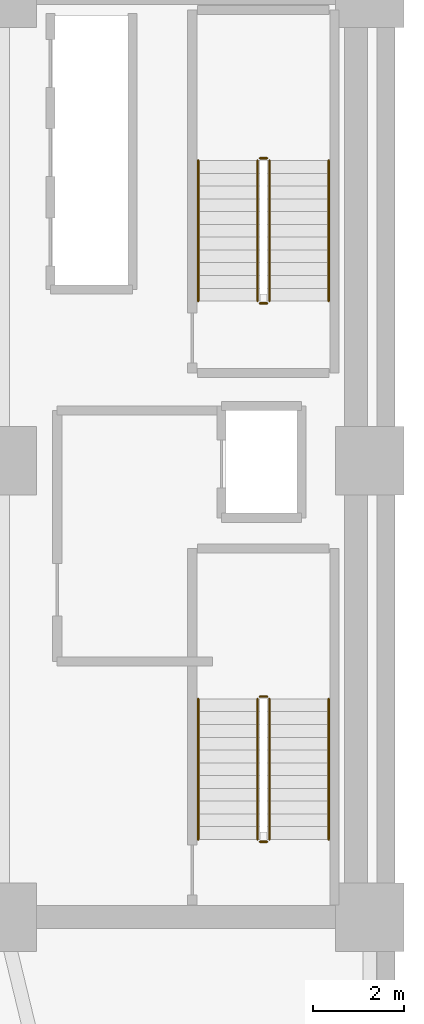
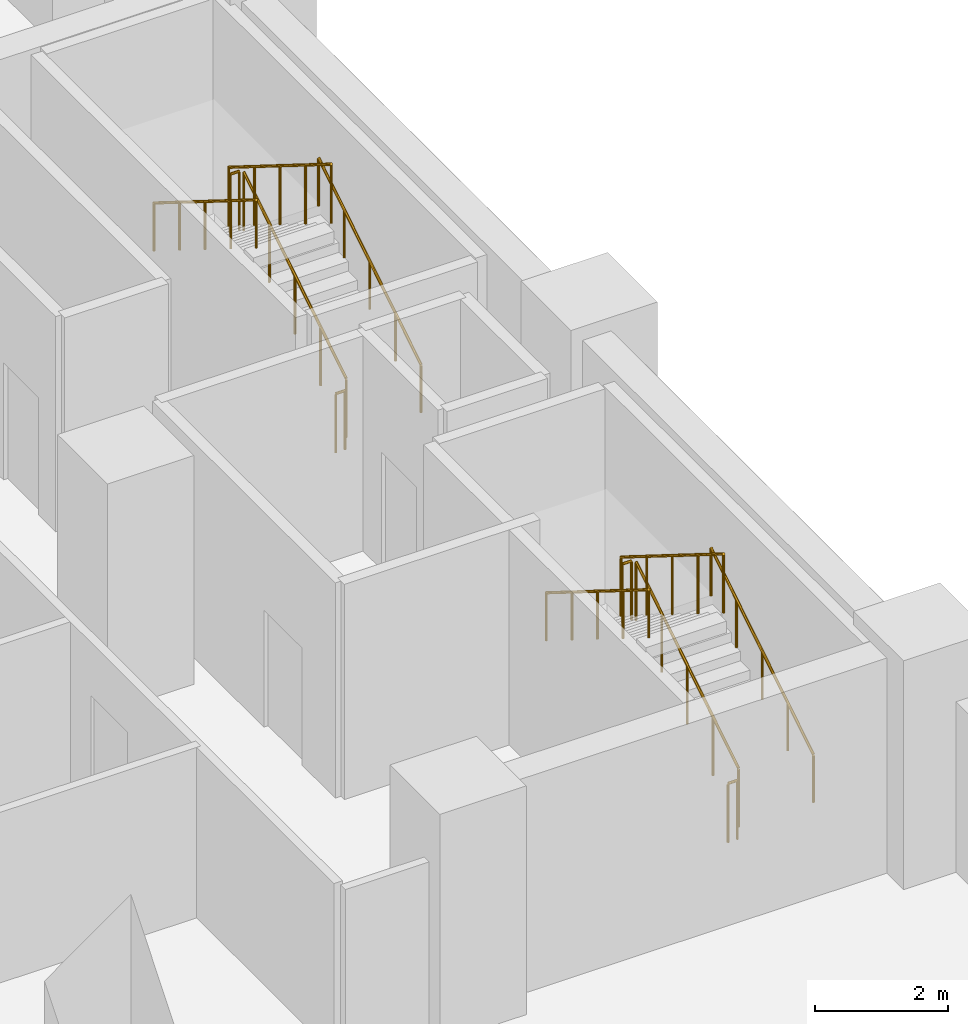
# One storey, part 14 of 14: 12 railings.
"""IFC4 building model written with IfcOpenShell, lengths in metres."""

from ifc_helpers import new_model, si_unit, direction, frame, origin, origin_2d, place, context, subcontext, project, spatial, circle, extrude, material, layer, layer_set, type_object, element, save


model = new_model("IFC4")

# Units and contexts
model_context = context("Model", 3, precision=1e-05, world=origin(), true_north=direction((0.0, 1.0)))
body_context = subcontext(model_context, "Body", "Model", "MODEL_VIEW")
ifc_project = project(units=[si_unit("LENGTHUNIT", "METRE"), si_unit("AREAUNIT", "SQUARE_METRE"), si_unit("VOLUMEUNIT", "CUBIC_METRE"), si_unit("PLANEANGLEUNIT", "RADIAN"), si_unit("MASSUNIT", "GRAM", prefix="KILO")], contexts=[model_context])

# Site, building, storey
site_placement = place(None, origin())
site = spatial("IfcSite", under=ifc_project, at=site_placement, CompositionType="ELEMENT")
building_placement = place(site_placement, origin())
building = spatial("IfcBuilding", under=site, at=building_placement, Name="Kuzgunbayir Cultural Tower", CompositionType="ELEMENT")
storey_placement = place(building_placement, frame((0.0, 0.0, 8.800048828125)))
storey = spatial("IfcBuildingStorey", under=building, at=storey_placement, Name="L02", CompositionType="ELEMENT", Elevation=8.800048828125)

# Railings
ifc_material_1 = material(Name="Brushed Stainless Steel", Category="steel")
ifc_layer_1 = layer(ifc_material_1, 0.050048828125)
ifc_layer_set_1 = layer_set([ifc_layer_1], Name="Brushed Stainless Steel")
railing_type_1 = type_object("IfcRailingType", Name="RLG-STAIR-HANDRAIL", PredefinedType="HANDRAIL", material=ifc_layer_set_1)
railing_1_placement = place(storey_placement, frame((71.75, 23.699951171875, 0.175048828125)))
element("IfcRailing", 1, at=railing_1_placement, inside=storey, type_object=railing_type_1, Name="L02 ST-3 stair handrail 1", PredefinedType="HANDRAIL", context=body_context, shape_type="SweptSolid", body=[
    extrude(circle(Radius=0.02392578125, at=origin_2d()), frame((0.0, 0.0, 0.8759765625), z_axis=(0.0, 0.848028513186, 0.529950602248), x_axis=(-1.0, 0.0, 0.0)), (0.0, 0.0, 1.0), 3.632080078125),
    extrude(circle(Radius=0.02099609375, at=origin_2d()), origin(), (0.0, 0.0, 1.0), 0.851806640625),
    extrude(circle(Radius=0.02099609375, at=origin_2d()), frame((0.0, 0.77001953125, 0.481201171875)), (0.0, 0.0, 1.0), 0.851806640625),
    extrude(circle(Radius=0.02099609375, at=origin_2d()), frame((0.0, 1.5400390625, 0.96240234375)), (0.0, 0.0, 1.0), 0.851806640625),
    extrude(circle(Radius=0.02099609375, at=origin_2d()), frame((0.0, 2.31005859375, 1.443603515625)), (0.0, 0.0, 1.0), 0.851806640625),
    extrude(circle(Radius=0.02099609375, at=origin_2d()), frame((0.0, 3.080078125, 1.9248046875)), (0.0, 0.0, 1.0), 0.851806640625),
])
railing_2_placement = place(storey_placement, frame((68.889892578125, 26.780029296875, 2.27490234375)))
element("IfcRailing", 2, at=railing_2_placement, inside=storey, type_object=railing_type_1, Name="L02 ST-3 stair handrail 2", PredefinedType="HANDRAIL", context=body_context, shape_type="SweptSolid", body=[
    extrude(circle(Radius=0.02392578125, at=origin_2d()), frame((0.0, 0.0, 0.8759765625), z_axis=(0.0, -0.847998304005, 0.529998940003), x_axis=(1.0, 0.0, 0.0)), (0.0, 0.0, 1.0), 3.632080078125),
    extrude(circle(Radius=0.02099609375, at=origin_2d()), origin(), (0.0, 0.0, 1.0), 0.851806640625),
    extrude(circle(Radius=0.02099609375, at=origin_2d()), frame((0.0, -0.77001953125, 0.481201171875)), (0.0, 0.0, 1.0), 0.851806640625),
    extrude(circle(Radius=0.02099609375, at=origin_2d()), frame((0.0, -1.5400390625, 0.96240234375)), (0.0, 0.0, 1.0), 0.851806640625),
    extrude(circle(Radius=0.02099609375, at=origin_2d()), frame((0.0, -2.31005859375, 1.44384765625)), (0.0, 0.0, 1.0), 0.851806640625),
    extrude(circle(Radius=0.02099609375, at=origin_2d()), frame((0.0, -3.080078125, 1.925048828125)), (0.0, 0.0, 1.0), 0.851806640625),
])
railing_3_placement = place(storey_placement, frame((71.75, 35.5, 0.175048828125)))
element("IfcRailing", 3, at=railing_3_placement, inside=storey, type_object=railing_type_1, Name="L02 ST-4 stair handrail 1", PredefinedType="HANDRAIL", context=body_context, shape_type="SweptSolid", body=[
    extrude(circle(Radius=0.02392578125, at=origin_2d()), frame((0.0, 0.0, 0.8759765625), z_axis=(0.0, 0.848028513186, 0.529950602248), x_axis=(-1.0, 0.0, 0.0)), (0.0, 0.0, 1.0), 3.632080078125),
    extrude(circle(Radius=0.02099609375, at=origin_2d()), origin(), (0.0, 0.0, 1.0), 0.851806640625),
    extrude(circle(Radius=0.02099609375, at=origin_2d()), frame((0.0, 0.77001953125, 0.481201171875)), (0.0, 0.0, 1.0), 0.851806640625),
    extrude(circle(Radius=0.02099609375, at=origin_2d()), frame((0.0, 1.5400390625, 0.96240234375)), (0.0, 0.0, 1.0), 0.851806640625),
    extrude(circle(Radius=0.02099609375, at=origin_2d()), frame((0.0, 2.31005859375, 1.443603515625)), (0.0, 0.0, 1.0), 0.851806640625),
    extrude(circle(Radius=0.02099609375, at=origin_2d()), frame((0.0, 3.080078125, 1.9248046875)), (0.0, 0.0, 1.0), 0.851806640625),
])
railing_4_placement = place(storey_placement, frame((68.889892578125, 38.580078125, 2.27490234375)))
element("IfcRailing", 4, at=railing_4_placement, inside=storey, type_object=railing_type_1, Name="L02 ST-4 stair handrail 2", PredefinedType="HANDRAIL", context=body_context, shape_type="SweptSolid", body=[
    extrude(circle(Radius=0.02392578125, at=origin_2d()), frame((0.0, 0.0, 0.8759765625), z_axis=(0.0, -0.847998304005, 0.529998940003), x_axis=(1.0, 0.0, 0.0)), (0.0, 0.0, 1.0), 3.632080078125),
    extrude(circle(Radius=0.02099609375, at=origin_2d()), origin(), (0.0, 0.0, 1.0), 0.851806640625),
    extrude(circle(Radius=0.02099609375, at=origin_2d()), frame((0.0, -0.77001953125, 0.481201171875)), (0.0, 0.0, 1.0), 0.851806640625),
    extrude(circle(Radius=0.02099609375, at=origin_2d()), frame((0.0, -1.5400390625, 0.96240234375)), (0.0, 0.0, 1.0), 0.851806640625),
    extrude(circle(Radius=0.02099609375, at=origin_2d()), frame((0.0, -2.31005859375, 1.44384765625)), (0.0, 0.0, 1.0), 0.851806640625),
    extrude(circle(Radius=0.02099609375, at=origin_2d()), frame((0.0, -3.080078125, 1.925048828125)), (0.0, 0.0, 1.0), 0.851806640625),
])
ifc_material_2 = material(Name="Painted Steel Balustrade", Category="steel")
ifc_layer_2 = layer(ifc_material_2, 0.06005859375)
ifc_layer_set_2 = layer_set([ifc_layer_2], Name="Painted Steel Balustrade")
railing_type_2 = type_object("IfcRailingType", Name="RLG-WELL-GUARD", PredefinedType="GUARDRAIL", material=ifc_layer_set_2)
railing_5_placement = place(storey_placement, frame((70.449951171875, 23.699951171875, 0.175048828125)))
element("IfcRailing", 5, at=railing_5_placement, inside=storey, type_object=railing_type_2, Name="L02 ST-3 stair guard 1", PredefinedType="GUARDRAIL", context=body_context, shape_type="SweptSolid", body=[
    extrude(circle(Radius=0.02392578125, at=origin_2d()), frame((0.0, 0.0, 1.076171875), z_axis=(0.0, 0.848028513186, 0.529950602248), x_axis=(-1.0, 0.0, 0.0)), (0.0, 0.0, 1.0), 3.632080078125),
    extrude(circle(Radius=0.02099609375, at=origin_2d()), origin(), (0.0, 0.0, 1.0), 1.052001953125),
    extrude(circle(Radius=0.02099609375, at=origin_2d()), frame((0.0, 0.77001953125, 0.481201171875)), (0.0, 0.0, 1.0), 1.052001953125),
    extrude(circle(Radius=0.02099609375, at=origin_2d()), frame((0.0, 1.5400390625, 0.96240234375)), (0.0, 0.0, 1.0), 1.052001953125),
    extrude(circle(Radius=0.02099609375, at=origin_2d()), frame((0.0, 2.31005859375, 1.443603515625)), (0.0, 0.0, 1.0), 1.052001953125),
    extrude(circle(Radius=0.02099609375, at=origin_2d()), frame((0.0, 3.080078125, 1.9248046875)), (0.0, 0.0, 1.0), 1.052001953125),
])
railing_6_placement = place(storey_placement, frame((70.39990234375, 26.830078125, 2.099853515625)))
element("IfcRailing", 6, at=railing_6_placement, inside=storey, type_object=railing_type_2, Name="L02 ST-3 stair guard 2", PredefinedType="GUARDRAIL", context=body_context, shape_type="SweptSolid", body=[
    extrude(circle(Radius=0.02392578125, at=origin_2d()), frame((0.0, 0.0, 1.076171875), z_axis=(-1.0, 0.0, 0.0), x_axis=(0.0, -1.0, 0.0)), (0.0, 0.0, 1.0), 0.159912109375),
    extrude(circle(Radius=0.02099609375, at=origin_2d()), origin(), (0.0, 0.0, 1.0), 1.052001953125),
    extrude(circle(Radius=0.02099609375, at=origin_2d()), frame((-0.159912109375, 0.0, 0.0)), (0.0, 0.0, 1.0), 1.052001953125),
])
railing_7_placement = place(storey_placement, frame((70.18994140625, 26.780029296875, 2.27490234375)))
element("IfcRailing", 7, at=railing_7_placement, inside=storey, type_object=railing_type_2, Name="L02 ST-3 stair guard 3", PredefinedType="GUARDRAIL", context=body_context, shape_type="SweptSolid", body=[
    extrude(circle(Radius=0.02392578125, at=origin_2d()), frame((0.0, 0.0, 1.076171875), z_axis=(0.0, -0.847998304005, 0.529998940003), x_axis=(1.0, 0.0, 0.0)), (0.0, 0.0, 1.0), 3.632080078125),
    extrude(circle(Radius=0.02099609375, at=origin_2d()), origin(), (0.0, 0.0, 1.0), 1.052001953125),
    extrude(circle(Radius=0.02099609375, at=origin_2d()), frame((0.0, -0.77001953125, 0.481201171875)), (0.0, 0.0, 1.0), 1.052001953125),
    extrude(circle(Radius=0.02099609375, at=origin_2d()), frame((0.0, -1.5400390625, 0.96240234375)), (0.0, 0.0, 1.0), 1.052001953125),
    extrude(circle(Radius=0.02099609375, at=origin_2d()), frame((0.0, -2.31005859375, 1.44384765625)), (0.0, 0.0, 1.0), 1.052001953125),
    extrude(circle(Radius=0.02099609375, at=origin_2d()), frame((0.0, -3.080078125, 1.925048828125)), (0.0, 0.0, 1.0), 1.052001953125),
])
railing_8_placement = place(storey_placement, frame((70.39990234375, 23.64990234375, 0.0)))
element("IfcRailing", 8, at=railing_8_placement, inside=storey, type_object=railing_type_2, Name="L02 ST-3 stair guard 4", PredefinedType="GUARDRAIL", context=body_context, shape_type="SweptSolid", body=[
    extrude(circle(Radius=0.02392578125, at=origin_2d()), frame((0.0, 0.0, 1.076171875), z_axis=(-1.0, 0.0, 0.0), x_axis=(0.0, -1.0, 0.0)), (0.0, 0.0, 1.0), 0.159912109375),
    extrude(circle(Radius=0.02099609375, at=origin_2d()), origin(), (0.0, 0.0, 1.0), 1.052001953125),
    extrude(circle(Radius=0.02099609375, at=origin_2d()), frame((-0.159912109375, 0.0, 0.0)), (0.0, 0.0, 1.0), 1.052001953125),
])
railing_9_placement = place(storey_placement, frame((70.449951171875, 35.5, 0.175048828125)))
element("IfcRailing", 9, at=railing_9_placement, inside=storey, type_object=railing_type_2, Name="L02 ST-4 stair guard 1", PredefinedType="GUARDRAIL", context=body_context, shape_type="SweptSolid", body=[
    extrude(circle(Radius=0.02392578125, at=origin_2d()), frame((0.0, 0.0, 1.076171875), z_axis=(0.0, 0.848028513186, 0.529950602248), x_axis=(-1.0, 0.0, 0.0)), (0.0, 0.0, 1.0), 3.632080078125),
    extrude(circle(Radius=0.02099609375, at=origin_2d()), origin(), (0.0, 0.0, 1.0), 1.052001953125),
    extrude(circle(Radius=0.02099609375, at=origin_2d()), frame((0.0, 0.77001953125, 0.481201171875)), (0.0, 0.0, 1.0), 1.052001953125),
    extrude(circle(Radius=0.02099609375, at=origin_2d()), frame((0.0, 1.5400390625, 0.96240234375)), (0.0, 0.0, 1.0), 1.052001953125),
    extrude(circle(Radius=0.02099609375, at=origin_2d()), frame((0.0, 2.31005859375, 1.443603515625)), (0.0, 0.0, 1.0), 1.052001953125),
    extrude(circle(Radius=0.02099609375, at=origin_2d()), frame((0.0, 3.080078125, 1.9248046875)), (0.0, 0.0, 1.0), 1.052001953125),
])
railing_10_placement = place(storey_placement, frame((70.39990234375, 38.6298828125, 2.099853515625)))
element("IfcRailing", 10, at=railing_10_placement, inside=storey, type_object=railing_type_2, Name="L02 ST-4 stair guard 2", PredefinedType="GUARDRAIL", context=body_context, shape_type="SweptSolid", body=[
    extrude(circle(Radius=0.02392578125, at=origin_2d()), frame((0.0, 0.0, 1.076171875), z_axis=(-1.0, 0.0, 0.0), x_axis=(0.0, -1.0, 0.0)), (0.0, 0.0, 1.0), 0.159912109375),
    extrude(circle(Radius=0.02099609375, at=origin_2d()), origin(), (0.0, 0.0, 1.0), 1.052001953125),
    extrude(circle(Radius=0.02099609375, at=origin_2d()), frame((-0.159912109375, 0.0, 0.0)), (0.0, 0.0, 1.0), 1.052001953125),
])
railing_11_placement = place(storey_placement, frame((70.18994140625, 38.580078125, 2.27490234375)))
element("IfcRailing", 11, at=railing_11_placement, inside=storey, type_object=railing_type_2, Name="L02 ST-4 stair guard 3", PredefinedType="GUARDRAIL", context=body_context, shape_type="SweptSolid", body=[
    extrude(circle(Radius=0.02392578125, at=origin_2d()), frame((0.0, 0.0, 1.076171875), z_axis=(0.0, -0.847998304005, 0.529998940003), x_axis=(1.0, 0.0, 0.0)), (0.0, 0.0, 1.0), 3.632080078125),
    extrude(circle(Radius=0.02099609375, at=origin_2d()), origin(), (0.0, 0.0, 1.0), 1.052001953125),
    extrude(circle(Radius=0.02099609375, at=origin_2d()), frame((0.0, -0.77001953125, 0.481201171875)), (0.0, 0.0, 1.0), 1.052001953125),
    extrude(circle(Radius=0.02099609375, at=origin_2d()), frame((0.0, -1.5400390625, 0.96240234375)), (0.0, 0.0, 1.0), 1.052001953125),
    extrude(circle(Radius=0.02099609375, at=origin_2d()), frame((0.0, -2.31005859375, 1.44384765625)), (0.0, 0.0, 1.0), 1.052001953125),
    extrude(circle(Radius=0.02099609375, at=origin_2d()), frame((0.0, -3.080078125, 1.925048828125)), (0.0, 0.0, 1.0), 1.052001953125),
])
railing_12_placement = place(storey_placement, frame((70.39990234375, 35.449951171875, 0.0)))
element("IfcRailing", 12, at=railing_12_placement, inside=storey, type_object=railing_type_2, Name="L02 ST-4 stair guard 4", PredefinedType="GUARDRAIL", context=body_context, shape_type="SweptSolid", body=[
    extrude(circle(Radius=0.02392578125, at=origin_2d()), frame((0.0, 0.0, 1.076171875), z_axis=(-1.0, 0.0, 0.0), x_axis=(0.0, -1.0, 0.0)), (0.0, 0.0, 1.0), 0.159912109375),
    extrude(circle(Radius=0.02099609375, at=origin_2d()), origin(), (0.0, 0.0, 1.0), 1.052001953125),
    extrude(circle(Radius=0.02099609375, at=origin_2d()), frame((-0.159912109375, 0.0, 0.0)), (0.0, 0.0, 1.0), 1.052001953125),
])

save(model, "model.ifc")
